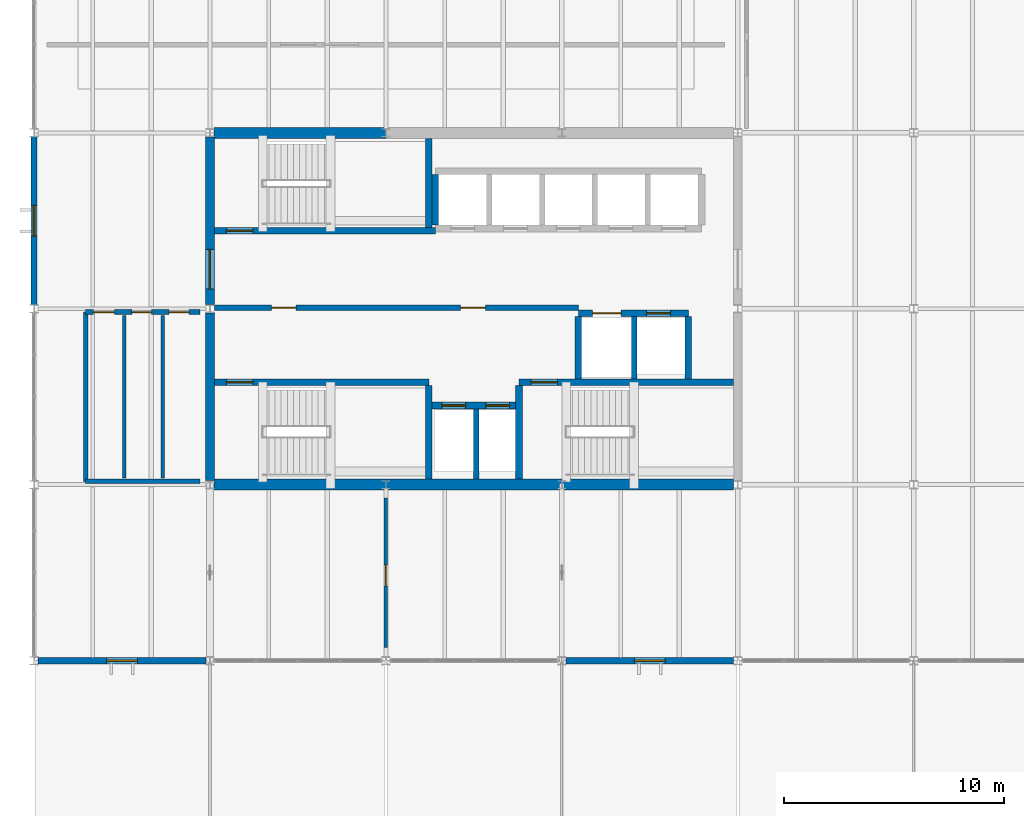
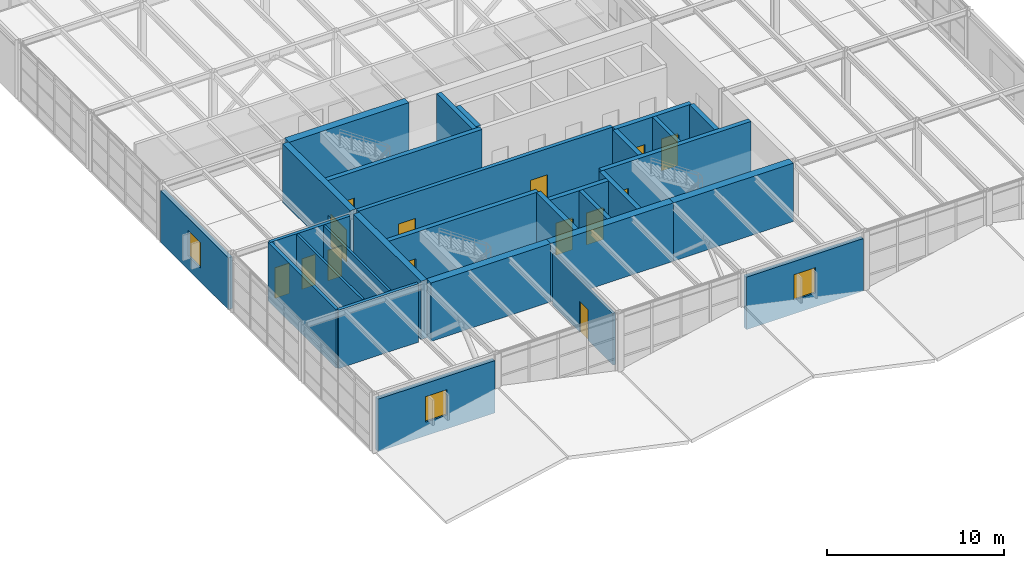
# One storey, part 27 of 34: 29 walls, 14 doors, 3 windows, 17 openings.
"""IFC4 building model written with IfcOpenShell, lengths in metres."""

import ifcopenshell
import ifcopenshell.guid

model = None  # the IFC model being written
_history = None  # IfcOwnerHistory: only IFC2X3 demands one
_inside = {}  # id of a spatial element -> (the spatial element, [elements in it])
_under = {}  # id of a project, library or spatial element -> (it, [spatial elements below it])
_declared = {}  # id of a project -> (the project, [libraries it declares])
_typed = {}  # id of a type object -> (the type object, [elements of that type])
_made_of = {}  # id of a material, layer set ... -> (it, [elements and type objects made of it])


def new_model(schema):
    """Start an empty IFC model of exactly this schema.

    Asked for "IFC4X3", IfcOpenShell would pick the latest addendum, in which some entities
    have other attributes; the version numbers below select the first issue.
    IFC2X3 requires an IfcOwnerHistory on every rooted entity: one is made here for all.
    """
    global model, _history
    if schema == "IFC4X3":
        model = ifcopenshell.file(schema_version=(4, 3, 0, 0))
    else:
        model = ifcopenshell.file(schema=schema)
    _inside.clear()
    _under.clear()
    _declared.clear()
    _typed.clear()
    _made_of.clear()
    _history = None
    if model.schema == "IFC2X3":
        org = make("IfcOrganization", Name="unknown")
        user = make(
            "IfcPersonAndOrganization",
            ThePerson=make("IfcPerson", FamilyName="unknown"),
            TheOrganization=org,
        )
        app = make(
            "IfcApplication",
            ApplicationDeveloper=org,
            Version="unknown",
            ApplicationFullName="unknown",
            ApplicationIdentifier="unknown",
        )
        _history = make(
            "IfcOwnerHistory",
            OwningUser=user,
            OwningApplication=app,
            ChangeAction="ADDED",
            CreationDate=0,
        )
    return model


def make(cls, **values):
    """One entity of the class cls with the attributes given. An attribute that is None is left unset."""
    return model.create_entity(
        cls, **{name: value for name, value in values.items() if value is not None}
    )


def rooted(cls, **values):
    """An entity with a GlobalId (a new one), such as an element, a storey or a relation."""
    return make(cls, GlobalId=ifcopenshell.guid.new(), OwnerHistory=_history, **values)


def si_unit(unit_type, name, prefix=None):
    """IfcSIUnit, for example si_unit("LENGTHUNIT", "METRE", prefix="MILLI")."""
    return make("IfcSIUnit", UnitType=unit_type, Prefix=prefix, Name=name)


def assignment(units):
    """IfcUnitAssignment: the units of a project."""
    return None if units is None else make("IfcUnitAssignment", Units=units)


def point(xyz):
    """IfcCartesianPoint."""
    return None if xyz is None else make("IfcCartesianPoint", Coordinates=xyz)


def direction(xyz):
    """IfcDirection."""
    return None if xyz is None else make("IfcDirection", DirectionRatios=xyz)


def frame(location, z_axis=None, x_axis=None):
    """IfcAxis2Placement3D, a coordinate frame: its origin and axes. An axis left out is left unset."""
    return make(
        "IfcAxis2Placement3D",
        Location=point(location),
        Axis=direction(z_axis),
        RefDirection=direction(x_axis),
    )


def frame_2d(location, x_axis=None):
    """IfcAxis2Placement2D, a coordinate frame in the plane: its origin and x axis."""
    return make(
        "IfcAxis2Placement2D", Location=point(location), RefDirection=direction(x_axis)
    )


def origin():
    """The frame at (0, 0, 0) with its axes left unset."""
    return frame((0.0, 0.0, 0.0))


def place(relative_to, where):
    """IfcLocalPlacement: puts the frame where relative to a parent placement (None: the world)."""
    return make(
        "IfcLocalPlacement", PlacementRelTo=relative_to, RelativePlacement=where
    )


def context(
    kind, dimensions, precision=None, world=None, true_north=None, identifier=None
):
    """IfcGeometricRepresentationContext, for example the 3D "Model" context."""
    return make(
        "IfcGeometricRepresentationContext",
        ContextIdentifier=identifier,
        ContextType=kind,
        CoordinateSpaceDimension=dimensions,
        Precision=precision,
        WorldCoordinateSystem=world,
        TrueNorth=true_north,
    )


def subcontext(parent, identifier, kind, view, scale=None):
    """IfcGeometricRepresentationSubContext, for example "Body" below "Model"."""
    return make(
        "IfcGeometricRepresentationSubContext",
        ContextIdentifier=identifier,
        ContextType=kind,
        ParentContext=parent,
        TargetScale=scale,
        TargetView=view,
    )


def project(units=None, contexts=None):
    """IfcProject with its units and contexts."""
    return rooted(
        "IfcProject",
        Name="project",
        RepresentationContexts=contexts,
        UnitsInContext=assignment(units),
    )


def spatial(cls, under=None, at=None, **own):
    """A site, building, storey or space (cls), placed at a placement, below another one or the project."""
    s = rooted(cls, ObjectPlacement=at, **own)
    if under is not None:
        _under.setdefault(under.id(), (under, []))[1].append(s)
    return s


def profile(cls, at=None, kind="AREA", **sizes):
    """A parametric profile (cls). Its sizes go by their IFC names, for example OverallWidth=200.0."""
    return make(cls, ProfileType=kind, Position=at, **sizes)


def rectangle(**sizes):
    """IfcRectangleProfileDef."""
    return profile("IfcRectangleProfileDef", **sizes)


def extrude(swept, where, along, depth):
    """IfcExtrudedAreaSolid: the profile swept, set in the frame where, extruded along a direction by depth."""
    return make(
        "IfcExtrudedAreaSolid",
        SweptArea=swept,
        Position=where,
        ExtrudedDirection=direction(along),
        Depth=depth,
    )


def shape(context_of_items, identifier, shape_type, items):
    """IfcShapeRepresentation: the items that make up one representation, for example the "Body"."""
    return make(
        "IfcShapeRepresentation",
        ContextOfItems=context_of_items,
        RepresentationIdentifier=identifier,
        RepresentationType=shape_type,
        Items=items,
    )


def material(Name=None, Category=None):
    """IfcMaterial."""
    return make("IfcMaterial", Name=Name, Category=Category)


def layer(
    of_material, thickness, ventilated=None, Name=None, Category=None, Priority=None
):
    """IfcMaterialLayer: one layer of a wall or slab, of a material (None: an air gap)."""
    return make(
        "IfcMaterialLayer",
        Material=of_material,
        LayerThickness=thickness,
        IsVentilated=ventilated,
        Name=Name,
        Category=Category,
        Priority=Priority,
    )


def layer_set(layers, Name=None):
    """IfcMaterialLayerSet."""
    return make("IfcMaterialLayerSet", MaterialLayers=layers, LayerSetName=Name)


def made_of(thing, what):
    """Note that an element or type object is made of a material, layer set ...; save() writes the relation."""
    if what is not None:
        _made_of.setdefault(what.id(), (what, []))[1].append(thing)
    return thing


def type_object(cls, material=None, **own):
    """A type object (cls), such as IfcWallType, which elements share."""
    return made_of(rooted(cls, **own), material)


def element(
    cls,
    number,
    at=None,
    inside=None,
    cuts=None,
    type_object=None,
    material=None,
    context=None,
    identifier="Body",
    shape_type=None,
    held_by="IfcProductDefinitionShape",
    body=None,
    shapes=None,
    **own,
):
    """One element of the class cls, such as IfcWall. Its Tag is "e" and its number.

    at: its placement. inside: the storey or other place that contains it. cuts: it is an
    opening in that element (IfcRelVoidsElement). A single representation is given by context,
    identifier, shape_type and body (its items); several are given by shapes. held_by: the class
    of the entity that holds the representations. save() writes the other relations.
    """
    e = rooted(cls, Tag="e%d" % number, ObjectPlacement=at, **own)
    if body is not None:
        shapes = [shape(context, identifier, shape_type, body)]
    if shapes is not None:
        e.Representation = make(held_by, Representations=shapes)
    if inside is not None:
        _inside.setdefault(inside.id(), (inside, []))[1].append(e)
    if cuts is not None:
        rooted(
            "IfcRelVoidsElement", RelatingBuildingElement=cuts, RelatedOpeningElement=e
        )
    if type_object is not None:
        _typed.setdefault(type_object.id(), (type_object, []))[1].append(e)
    return made_of(e, material)


def fill(opening, filler):
    """IfcRelFillsElement: the door or window that sits in an opening."""
    return rooted(
        "IfcRelFillsElement",
        RelatingOpeningElement=opening,
        RelatedBuildingElement=filler,
    )


def aggregate(whole, parts):
    """IfcRelAggregates: a whole, such as a stair, and the parts it consists of."""
    return rooted("IfcRelAggregates", RelatingObject=whole, RelatedObjects=parts)


def save(model, path):
    """Write the relations noted so far, then the file.

    IfcRelAggregates (storeys below a building ...), IfcRelContainedInSpatialStructure (elements
    in a storey), IfcRelDefinesByType, IfcRelAssociatesMaterial and IfcRelDeclares: one each for
    every whole, place, type object, material and project.
    """
    for whole, parts in _under.values():
        aggregate(whole, parts)
    for where, things in _inside.values():
        rooted(
            "IfcRelContainedInSpatialStructure",
            RelatedElements=things,
            RelatingStructure=where,
        )
    for kind, things in _typed.values():
        rooted("IfcRelDefinesByType", RelatedObjects=things, RelatingType=kind)
    for what, things in _made_of.values():
        rooted("IfcRelAssociatesMaterial", RelatedObjects=things, RelatingMaterial=what)
    for by, libraries in _declared.values():
        rooted("IfcRelDeclares", RelatingContext=by, RelatedDefinitions=libraries)
    model.write(path)


model = new_model("IFC4")

# Units and contexts
model_context = context("Model", 3, precision=1e-05, world=origin(), true_north=direction((0.0, 1.0)))
body_context = subcontext(model_context, "Body", "Model", "MODEL_VIEW")
ifc_project = project(units=[si_unit("LENGTHUNIT", "METRE"), si_unit("AREAUNIT", "SQUARE_METRE"), si_unit("VOLUMEUNIT", "CUBIC_METRE"), si_unit("PLANEANGLEUNIT", "RADIAN"), si_unit("MASSUNIT", "GRAM", prefix="KILO")], contexts=[model_context])

# Site, building, storey
site_placement = place(None, origin())
site = spatial("IfcSite", under=ifc_project, at=site_placement, CompositionType="ELEMENT")
building_placement = place(site_placement, origin())
building = spatial("IfcBuilding", under=site, at=building_placement, Name="Varnela Railside Interchange", CompositionType="ELEMENT")
storey_placement = place(building_placement, frame((0.0, 0.0, 19.60009765625)))
storey = spatial("IfcBuildingStorey", under=building, at=storey_placement, Name="L04", CompositionType="ELEMENT", Elevation=19.60009765625)

# Walls
ifc_material_1 = material(Name="Gypsum acoustic board")
ifc_layer_1 = layer(ifc_material_1, 0.14990234375)
ifc_layer_set_1 = layer_set([ifc_layer_1], Name="Gypsum acoustic board")
wall_type_1 = type_object("IfcWallType", Name="Acoustic Drywall Partition IW-01", PredefinedType="PARTITIONING", material=ifc_layer_set_1)
for number, where, z_axis, x_axis, name in (
    (1, (8.10009765625, 54.300048828125, 0.0), (0.0, 0.0, 1.0), (0.0, 1.0, 0.0), "Acoustic Drywall Partition IW-01 (L04) (WL-0908)"),
    (2, (9.85009765625, 54.300048828125, 0.0), (0.0, 0.0, 1.0), (0.0, 1.0, 0.0), "Acoustic Drywall Partition IW-01 (L04) (WL-0909)"),
):
    element("IfcWall", number, at=place(storey_placement, frame(where, z_axis=z_axis, x_axis=x_axis)), inside=storey, type_object=wall_type_1, Name=name, PredefinedType="PARTITIONING", context=body_context, shape_type="SweptSolid", body=[
        extrude(rectangle(XDim=7.39990234375, YDim=0.14990234375, at=frame_2d((3.699951171875, 0.0))), origin(), (0.0, 0.0, 1.0), 4.02001953125),
    ])

# Wall, opening, door
wall_1_placement = place(storey_placement, frame((20.0, 46.60009765625, 0.0), z_axis=(0.0, 0.0, 1.0), x_axis=(0.0, 1.0, 0.0)))
wall_1 = element("IfcWall", 3, at=wall_1_placement, inside=storey, type_object=wall_type_1, Name="Acoustic Drywall Partition IW-01 (L04) (WL-0896)", PredefinedType="PARTITIONING", context=body_context, shape_type="SweptSolid", body=[
    extrude(rectangle(XDim=6.7998046875, YDim=0.14990234375, at=frame_2d((3.39990234375, 0.0))), origin(), (0.0, 0.0, 1.0), 3.559814453125),
])
opening_1_placement = place(wall_1_placement, frame((2.800048828125, 0.0, 0.0)))
opening_1 = element("IfcOpeningElement", 4, at=opening_1_placement, cuts=wall_1, Name="Opening D-278", PredefinedType="OPENING", context=body_context, shape_type="SweptSolid", body=[
    extrude(rectangle(XDim=0.949951171875, YDim=2.10009765625, at=frame_2d((0.47509765625, 1.050048828125))), frame((0.0, 0.0849609375, 0.0), z_axis=(0.0, -1.0, 0.0), x_axis=(1.0, 0.0, 0.0)), (0.0, 0.0, 1.0), 0.169921875),
])
ifc_material_2 = material(Name="Timber solid core", Category="wood")
door_type_1 = type_object("IfcDoorType", Name="DR-SGL-950-ACC", OperationType="NOTDEFINED", PredefinedType="DOOR", material=ifc_material_2)
door_1_placement = place(opening_1_placement, origin())
door_1 = element("IfcDoor", 5, at=door_1_placement, inside=storey, type_object=door_type_1, Name="Door D-278", OperationType="SINGLE_SWING_RIGHT", OverallHeight=2.10009765625, OverallWidth=0.949951171875, PredefinedType="DOOR", context=body_context, shape_type="SweptSolid", body=[
    extrude(rectangle(XDim=0.949951171875, YDim=2.10009765625, at=frame_2d((0.47509765625, 1.050048828125))), frame((0.0, 0.02490234375, 0.0), z_axis=(0.0, -1.0, 0.0), x_axis=(1.0, 0.0, 0.0)), (0.0, 0.0, 1.0), 0.050048828125),
])
fill(opening_1, door_1)

# Wall
ifc_material_3 = material(Name="Concrete C50", Category="concrete")
ifc_layer_2 = layer(ifc_material_3, 0.39990234375)
ifc_layer_set_2 = layer_set([ifc_layer_2], Name="Concrete C50")
wall_type_2 = type_object("IfcWallType", Name="Core Coupling Shear Wall SW-02", PredefinedType="SHEAR", material=ifc_layer_set_2)
wall_2_placement = place(storey_placement, frame((12.0, 54.18408203125, 0.0), z_axis=(0.0, 0.0, 1.0), x_axis=(0.0, 1.0, 0.0)))
element("IfcWall", 6, at=wall_2_placement, inside=storey, type_object=wall_type_2, Name="Core Coupling Shear Wall SW-02 (L04) (WL-0875)", PredefinedType="SHEAR", context=body_context, shape_type="SweptSolid", body=[
    extrude(rectangle(XDim=7.6318359375, YDim=0.39990234375, at=frame_2d((3.81591796875, 0.0))), origin(), (0.0, 0.0, 1.0), 4.02001953125),
])

# Wall, opening, door
wall_3_placement = place(storey_placement, frame((12.0, 62.18408203125, 0.0), z_axis=(0.0, 0.0, 1.0), x_axis=(0.0, 1.0, 0.0)))
wall_3 = element("IfcWall", 7, at=wall_3_placement, inside=storey, type_object=wall_type_2, Name="Core Coupling Shear Wall SW-02 (L04) (WL-0876)", PredefinedType="SHEAR", context=body_context, shape_type="SweptSolid", body=[
    extrude(rectangle(XDim=7.6318359375, YDim=0.39990234375, at=frame_2d((3.81591796875, 0.0))), origin(), (0.0, 0.0, 1.0), 4.02001953125),
])
opening_2_placement = place(wall_3_placement, frame((0.716064453125, 0.0, 0.0)))
opening_2 = element("IfcOpeningElement", 8, at=opening_2_placement, cuts=wall_3, Name="Opening D-263", PredefinedType="OPENING", context=body_context, shape_type="SweptSolid", body=[
    extrude(rectangle(XDim=1.800048828125, YDim=2.199951171875, at=frame_2d((0.89990234375, 1.10009765625))), frame((0.0, 0.2099609375, 0.0), z_axis=(0.0, -1.0, 0.0), x_axis=(1.0, 0.0, 0.0)), (0.0, 0.0, 1.0), 0.419921875),
])
ifc_material_4 = material(Name="Steel AR 350 (350 MPa)", Category="steel")
door_type_2 = type_object("IfcDoorType", Name="DR-DBL-1800-FD60", OperationType="DOUBLE_DOOR_SINGLE_SWING", PredefinedType="DOOR", material=ifc_material_4)
door_2_placement = place(opening_2_placement, frame((1.800048828125, 0.0, 0.0), z_axis=(0.0, 0.0, 1.0), x_axis=(-1.0, 0.0, 0.0)))
door_2 = element("IfcDoor", 9, at=door_2_placement, inside=storey, type_object=door_type_2, Name="Door D-263", OperationType="DOUBLE_DOOR_SINGLE_SWING", OverallHeight=2.199951171875, OverallWidth=1.800048828125, PredefinedType="DOOR", context=body_context, shape_type="SweptSolid", body=[
    extrude(rectangle(XDim=1.800048828125, YDim=2.199951171875, at=frame_2d((0.89990234375, 1.10009765625))), frame((0.0, 0.02490234375, 0.0), z_axis=(0.0, -1.0, 0.0), x_axis=(1.0, 0.0, 0.0)), (0.0, 0.0, 1.0), 0.050048828125),
])
fill(opening_2, door_2)

# Walls
ifc_layer_3 = layer(ifc_material_3, 0.5)
ifc_layer_set_3 = layer_set([ifc_layer_3], Name="Concrete C50")
wall_type_3 = type_object("IfcWallType", Name="Core Primary Shear Wall SW-01", PredefinedType="SHEAR", material=ifc_layer_set_3)
wall_4_placement = place(storey_placement, frame((12.1865234375, 54.0, 0.0), z_axis=(0.0, 0.0, 1.0), x_axis=(1.0, 0.0, 0.0)))
element("IfcWall", 10, at=wall_4_placement, inside=storey, type_object=wall_type_3, Name="Core Primary Shear Wall SW-01 (L04) (WL-0866)", PredefinedType="SHEAR", context=body_context, shape_type="SweptSolid", body=[
    extrude(rectangle(XDim=7.8134765625, YDim=0.5, at=frame_2d((3.90673828125, 0.0))), origin(), (0.0, 0.0, 1.0), 4.02001953125),
])
wall_5_placement = place(storey_placement, frame((20.0, 54.0, 0.0), z_axis=(0.0, 0.0, 1.0), x_axis=(1.0, 0.0, 0.0)))
element("IfcWall", 11, at=wall_5_placement, inside=storey, type_object=wall_type_3, Name="Core Primary Shear Wall SW-01 (L04) (WL-0867)", PredefinedType="SHEAR", context=body_context, shape_type="SweptSolid", body=[
    extrude(rectangle(XDim=8.0, YDim=0.5, at=frame_2d((4.0, 0.0))), origin(), (0.0, 0.0, 1.0), 4.02001953125),
])
for number, where, z_axis, x_axis, name in (
    (12, (28.0, 54.0, 0.0), (0.0, 0.0, 1.0), (1.0, 0.0, 0.0), "Core Primary Shear Wall SW-01 (L04) (WL-0868)"),
    (13, (12.1865234375, 70.0, 0.0), (0.0, 0.0, 1.0), (1.0, 0.0, 0.0), "Core Primary Shear Wall SW-01 (L04) (WL-0863)"),
):
    element("IfcWall", number, at=place(storey_placement, frame(where, z_axis=z_axis, x_axis=x_axis)), inside=storey, type_object=wall_type_3, Name=name, PredefinedType="SHEAR", context=body_context, shape_type="SweptSolid", body=[
        extrude(rectangle(XDim=7.8134765625, YDim=0.5, at=frame_2d((3.90673828125, 0.0))), origin(), (0.0, 0.0, 1.0), 4.02001953125),
    ])

# Wall, opening, window
ifc_material_5 = material(Name="Concrete C40 precast", Category="concrete")
ifc_layer_4 = layer(ifc_material_5, 0.280029296875)
ifc_layer_set_4 = layer_set([ifc_layer_4], Name="Concrete C40 precast")
wall_type_4 = type_object("IfcWallType", Name="Ribbed Precast Concrete Facade Wall EW-02", PredefinedType="STANDARD", material=ifc_layer_set_4)
wall_6_placement = place(storey_placement, frame((35.81494140625, 46.0, 0.0), z_axis=(0.0, 0.0, 1.0), x_axis=(-1.0, 0.0, 0.0)))
wall_6 = element("IfcWall", 14, at=wall_6_placement, inside=storey, type_object=wall_type_4, Name="Ribbed Precast Concrete Facade Wall EW-02 (L04) (WL-0886)", PredefinedType="STANDARD", context=body_context, shape_type="SweptSolid", body=[
    extrude(rectangle(XDim=7.6298828125, YDim=0.280029296875, at=frame_2d((3.81494140625, 0.0))), origin(), (0.0, 0.0, 1.0), 3.60986328125),
])
opening_3_placement = place(wall_6_placement, frame((3.114990234375, 0.0, 0.949951171875)))
opening_3 = element("IfcOpeningElement", 15, at=opening_3_placement, cuts=wall_6, Name="Opening W-118", PredefinedType="OPENING", context=body_context, shape_type="SweptSolid", body=[
    extrude(rectangle(XDim=1.39990234375, YDim=1.75, at=frame_2d((0.699951171875, 0.875))), frame((0.0, 0.14990234375, 0.0), z_axis=(0.0, -1.0, 0.0), x_axis=(1.0, 0.0, 0.0)), (0.0, 0.0, 1.0), 0.300048828125),
])
ifc_material_6 = material(Name="Glass laminated double", Category="glass")
window_type = type_object("IfcWindowType", Name="Simulator Acoustic Window WN-12", PartitioningType="SINGLE_PANEL", PredefinedType="WINDOW", material=ifc_material_6)
window_1_placement = place(opening_3_placement, origin())
window_1 = element("IfcWindow", 16, at=window_1_placement, inside=storey, type_object=window_type, Name="Window W-118", OverallHeight=1.75, OverallWidth=1.39990234375, PartitioningType="SINGLE_PANEL", PredefinedType="WINDOW", context=body_context, shape_type="SweptSolid", body=[
    extrude(rectangle(XDim=1.39990234375, YDim=1.75, at=frame_2d((0.699951171875, 0.875))), frame((0.0, 0.030029296875, 0.0), z_axis=(0.0, -1.0, 0.0), x_axis=(1.0, 0.0, 0.0)), (0.0, 0.0, 1.0), 0.06005859375),
])
fill(opening_3, window_1)

wall_7_placement = place(storey_placement, frame((11.81494140625, 46.0, 0.0), z_axis=(0.0, 0.0, 1.0), x_axis=(-1.0, 0.0, 0.0)))
wall_7 = element("IfcWall", 17, at=wall_7_placement, inside=storey, type_object=wall_type_4, Name="Ribbed Precast Concrete Facade Wall EW-02 (L04) (WL-0894)", PredefinedType="STANDARD", context=body_context, shape_type="SweptSolid", body=[
    extrude(rectangle(XDim=7.6298828125, YDim=0.280029296875, at=frame_2d((3.81494140625, 0.0))), origin(), (0.0, 0.0, 1.0), 3.60986328125),
])
opening_4_placement = place(wall_7_placement, frame((3.114990234375, 0.0, 0.949951171875)))
opening_4 = element("IfcOpeningElement", 18, at=opening_4_placement, cuts=wall_7, Name="Opening W-119", PredefinedType="OPENING", context=body_context, shape_type="SweptSolid", body=[
    extrude(rectangle(XDim=1.39990234375, YDim=1.75, at=frame_2d((0.699951171875, 0.875))), frame((0.0, 0.14990234375, 0.0), z_axis=(0.0, -1.0, 0.0), x_axis=(1.0, 0.0, 0.0)), (0.0, 0.0, 1.0), 0.300048828125),
])
window_2_placement = place(opening_4_placement, origin())
window_2 = element("IfcWindow", 19, at=window_2_placement, inside=storey, type_object=window_type, Name="Window W-119", OverallHeight=1.75, OverallWidth=1.39990234375, PartitioningType="SINGLE_PANEL", PredefinedType="WINDOW", context=body_context, shape_type="SweptSolid", body=[
    extrude(rectangle(XDim=1.39990234375, YDim=1.75, at=frame_2d((0.699951171875, 0.875))), frame((0.0, 0.030029296875, 0.0), z_axis=(0.0, -1.0, 0.0), x_axis=(1.0, 0.0, 0.0)), (0.0, 0.0, 1.0), 0.06005859375),
])
fill(opening_4, window_2)

wall_8_placement = place(storey_placement, frame((4.0, 62.179931640625, 0.0), z_axis=(0.0, 0.0, 1.0), x_axis=(0.0, 1.0, 0.0)))
wall_8 = element("IfcWall", 20, at=wall_8_placement, inside=storey, type_object=wall_type_4, Name="Ribbed Precast Concrete Facade Wall EW-02 (L04) (WL-0895)", PredefinedType="STANDARD", context=body_context, shape_type="SweptSolid", body=[
    extrude(rectangle(XDim=7.64013671875, YDim=0.280029296875, at=frame_2d((3.820068359375, 0.0))), origin(), (0.0, 0.0, 1.0), 3.559814453125),
])
opening_5_placement = place(wall_8_placement, frame((3.1201171875, 0.0, 0.949951171875)))
opening_5 = element("IfcOpeningElement", 21, at=opening_5_placement, cuts=wall_8, Name="Opening W-120", PredefinedType="OPENING", context=body_context, shape_type="SweptSolid", body=[
    extrude(rectangle(XDim=1.39990234375, YDim=1.75, at=frame_2d((0.699951171875, 0.875))), frame((0.0, 0.14990234375, 0.0), z_axis=(0.0, -1.0, 0.0), x_axis=(1.0, 0.0, 0.0)), (0.0, 0.0, 1.0), 0.300048828125),
])
window_3_placement = place(opening_5_placement, origin())
window_3 = element("IfcWindow", 22, at=window_3_placement, inside=storey, type_object=window_type, Name="Window W-120", OverallHeight=1.75, OverallWidth=1.39990234375, PartitioningType="SINGLE_PANEL", PredefinedType="WINDOW", context=body_context, shape_type="SweptSolid", body=[
    extrude(rectangle(XDim=1.39990234375, YDim=1.75, at=frame_2d((0.699951171875, 0.875))), frame((0.0, 0.030029296875, 0.0), z_axis=(0.0, -1.0, 0.0), x_axis=(1.0, 0.0, 0.0)), (0.0, 0.0, 1.0), 0.06005859375),
])
fill(opening_5, window_3)

# Wall, openings, doors
ifc_material_7 = material(Name="Masonry concrete block", Category="masonry")
ifc_layer_5 = layer(ifc_material_7, 0.2099609375)
ifc_layer_set_5 = layer_set([ifc_layer_5], Name="Masonry concrete block")
wall_type_5 = type_object("IfcWallType", Name="Sanitary Plumbing Chase Wall IW-04", PredefinedType="PLUMBINGWALL", material=ifc_layer_set_5)
wall_9_placement = place(storey_placement, frame((6.35009765625, 61.85009765625, 0.0), z_axis=(0.0, 0.0, 1.0), x_axis=(1.0, 0.0, 0.0)))
wall_9 = element("IfcWall", 23, at=wall_9_placement, inside=storey, type_object=wall_type_5, Name="Sanitary Plumbing Chase Wall IW-04 (L04) (WL-0910)", PredefinedType="PLUMBINGWALL", context=body_context, shape_type="SweptSolid", body=[
    extrude(rectangle(XDim=5.199951171875, YDim=0.2099609375, at=frame_2d((2.60009765625, 0.0))), origin(), (0.0, 0.0, 1.0), 4.02001953125),
])
opening_6_placement = place(wall_9_placement, frame((0.35009765625, 0.0, 0.0)))
opening_6 = element("IfcOpeningElement", 24, at=opening_6_placement, cuts=wall_9, Name="Opening D-268", PredefinedType="OPENING", context=body_context, shape_type="SweptSolid", body=[
    extrude(rectangle(XDim=0.949951171875, YDim=2.10009765625, at=frame_2d((0.47509765625, 1.050048828125))), frame((0.0, 0.114990234375, 0.0), z_axis=(0.0, -1.0, 0.0), x_axis=(1.0, 0.0, 0.0)), (0.0, 0.0, 1.0), 0.22998046875),
])
opening_7_placement = place(wall_9_placement, frame((2.10009765625, 0.0, 0.0)))
opening_7 = element("IfcOpeningElement", 25, at=opening_7_placement, cuts=wall_9, Name="Opening D-269", PredefinedType="OPENING", context=body_context, shape_type="SweptSolid", body=[
    extrude(rectangle(XDim=0.89990234375, YDim=2.10009765625, at=frame_2d((0.449951171875, 1.050048828125))), frame((0.0, 0.114990234375, 0.0), z_axis=(0.0, -1.0, 0.0), x_axis=(1.0, 0.0, 0.0)), (0.0, 0.0, 1.0), 0.22998046875),
])
opening_8_placement = place(wall_9_placement, frame((3.800048828125, 0.0, 0.0)))
opening_8 = element("IfcOpeningElement", 26, at=opening_8_placement, cuts=wall_9, Name="Opening D-270", PredefinedType="OPENING", context=body_context, shape_type="SweptSolid", body=[
    extrude(rectangle(XDim=0.89990234375, YDim=2.10009765625, at=frame_2d((0.449951171875, 1.050048828125))), frame((0.0, 0.114990234375, 0.0), z_axis=(0.0, -1.0, 0.0), x_axis=(1.0, 0.0, 0.0)), (0.0, 0.0, 1.0), 0.22998046875),
])
door_type_3 = type_object("IfcDoorType", Name="DR-SGL-900", OperationType="NOTDEFINED", PredefinedType="DOOR", material=ifc_material_2)
door_3_placement = place(opening_7_placement, origin())
door_3 = element("IfcDoor", 27, at=door_3_placement, inside=storey, type_object=door_type_3, Name="Door D-269", OperationType="SINGLE_SWING_RIGHT", OverallHeight=2.10009765625, OverallWidth=0.89990234375, PredefinedType="DOOR", context=body_context, shape_type="SweptSolid", body=[
    extrude(rectangle(XDim=0.89990234375, YDim=2.10009765625, at=frame_2d((0.449951171875, 1.050048828125))), frame((0.0, 0.02490234375, 0.0), z_axis=(0.0, -1.0, 0.0), x_axis=(1.0, 0.0, 0.0)), (0.0, 0.0, 1.0), 0.050048828125),
])
fill(opening_7, door_3)
door_4_placement = place(opening_8_placement, origin())
door_4 = element("IfcDoor", 28, at=door_4_placement, inside=storey, type_object=door_type_3, Name="Door D-270", OperationType="SINGLE_SWING_LEFT", OverallHeight=2.10009765625, OverallWidth=0.89990234375, PredefinedType="DOOR", context=body_context, shape_type="SweptSolid", body=[
    extrude(rectangle(XDim=0.89990234375, YDim=2.10009765625, at=frame_2d((0.449951171875, 1.050048828125))), frame((0.0, 0.02490234375, 0.0), z_axis=(0.0, -1.0, 0.0), x_axis=(1.0, 0.0, 0.0)), (0.0, 0.0, 1.0), 0.050048828125),
])
fill(opening_8, door_4)
door_5_placement = place(opening_6_placement, origin())
door_5 = element("IfcDoor", 29, at=door_5_placement, inside=storey, type_object=door_type_1, Name="Door D-268", OperationType="SINGLE_SWING_LEFT", OverallHeight=2.10009765625, OverallWidth=0.949951171875, PredefinedType="DOOR", context=body_context, shape_type="SweptSolid", body=[
    extrude(rectangle(XDim=0.949951171875, YDim=2.10009765625, at=frame_2d((0.47509765625, 1.050048828125))), frame((0.0, 0.02490234375, 0.0), z_axis=(0.0, -1.0, 0.0), x_axis=(1.0, 0.0, 0.0)), (0.0, 0.0, 1.0), 0.050048828125),
])
fill(opening_6, door_5)

# Walls
wall_10_placement = place(storey_placement, frame((6.35009765625, 54.14990234375, 0.0), z_axis=(0.0, 0.0, 1.0), x_axis=(1.0, 0.0, 0.0)))
element("IfcWall", 30, at=wall_10_placement, inside=storey, type_object=wall_type_5, Name="Sanitary Plumbing Chase Wall IW-04 (L04) (WL-0911)", PredefinedType="PLUMBINGWALL", context=body_context, shape_type="SweptSolid", body=[
    extrude(rectangle(XDim=5.199951171875, YDim=0.2099609375, at=frame_2d((2.60009765625, 0.0))), origin(), (0.0, 0.0, 1.0), 4.02001953125),
])
wall_11_placement = place(storey_placement, frame((6.35009765625, 54.14990234375, 0.0), z_axis=(0.0, 0.0, 1.0), x_axis=(0.0, 1.0, 0.0)))
element("IfcWall", 31, at=wall_11_placement, inside=storey, type_object=wall_type_5, Name="Sanitary Plumbing Chase Wall IW-04 (L04) (WL-0912)", PredefinedType="PLUMBINGWALL", context=body_context, shape_type="SweptSolid", body=[
    extrude(rectangle(XDim=7.7001953125, YDim=0.2099609375, at=frame_2d((3.85009765625, 0.0))), origin(), (0.0, 0.0, 1.0), 4.02001953125),
])

# Wall, opening, door
ifc_layer_6 = layer(ifc_material_3, 0.300048828125)
ifc_layer_set_6 = layer_set([ifc_layer_6], Name="Concrete C50")
wall_type_6 = type_object("IfcWallType", Name="Stair & Lift Shaft Wall SW-03", PredefinedType="SHEAR", material=ifc_layer_set_6)
wall_12_placement = place(storey_placement, frame((12.199951171875, 58.64990234375, 0.0), z_axis=(0.0, 0.0, 1.0), x_axis=(1.0, 0.0, 0.0)))
wall_12 = element("IfcWall", 32, at=wall_12_placement, inside=storey, type_object=wall_type_6, Name="Stair & Lift Shaft Wall SW-03 (L04) (WL-0870)", PredefinedType="SHEAR", context=body_context, shape_type="SweptSolid", body=[
    extrude(rectangle(XDim=9.75, YDim=0.300048828125, at=frame_2d((4.875, 0.0))), origin(), (0.0, 0.0, 1.0), 4.02001953125),
])
opening_9_placement = place(wall_12_placement, frame((0.550048828125, 0.0, 0.0)))
opening_9 = element("IfcOpeningElement", 33, at=opening_9_placement, cuts=wall_12, Name="Opening D-258", PredefinedType="OPENING", context=body_context, shape_type="SweptSolid", body=[
    extrude(rectangle(XDim=1.199951171875, YDim=2.199951171875, at=frame_2d((0.60009765625, 1.10009765625))), frame((0.0, 0.159912109375, 0.0), z_axis=(0.0, -1.0, 0.0), x_axis=(1.0, 0.0, 0.0)), (0.0, 0.0, 1.0), 0.320068359375),
])
door_type_4 = type_object("IfcDoorType", Name="DR-SGL-1200-FD90", OperationType="NOTDEFINED", PredefinedType="DOOR", material=ifc_material_4)
door_6_placement = place(opening_9_placement, frame((1.199951171875, 0.0, 0.0), z_axis=(0.0, 0.0, 1.0), x_axis=(-1.0, 0.0, 0.0)))
door_6 = element("IfcDoor", 34, at=door_6_placement, inside=storey, type_object=door_type_4, Name="Door D-258", OperationType="SINGLE_SWING_LEFT", OverallHeight=2.199951171875, OverallWidth=1.199951171875, PredefinedType="DOOR", context=body_context, shape_type="SweptSolid", body=[
    extrude(rectangle(XDim=1.199951171875, YDim=2.199951171875, at=frame_2d((0.60009765625, 1.10009765625))), frame((0.0, 0.02490234375, 0.0), z_axis=(0.0, -1.0, 0.0), x_axis=(1.0, 0.0, 0.0)), (0.0, 0.0, 1.0), 0.050048828125),
])
fill(opening_9, door_6)

# Wall
wall_13_placement = place(storey_placement, frame((21.949951171875, 54.25, 0.0), z_axis=(0.0, 0.0, 1.0), x_axis=(0.0, 1.0, 0.0)))
element("IfcWall", 35, at=wall_13_placement, inside=storey, type_object=wall_type_6, Name="Stair & Lift Shaft Wall SW-03 (L04) (WL-0869)", PredefinedType="SHEAR", context=body_context, shape_type="SweptSolid", body=[
    extrude(rectangle(XDim=4.25, YDim=0.300048828125, at=frame_2d((2.125, 0.0))), origin(), (0.0, 0.0, 1.0), 4.02001953125),
])

# Wall, opening, door
wall_14_placement = place(storey_placement, frame((26.050048828125, 58.64990234375, 0.0), z_axis=(0.0, 0.0, 1.0), x_axis=(1.0, 0.0, 0.0)))
wall_14 = element("IfcWall", 36, at=wall_14_placement, inside=storey, type_object=wall_type_6, Name="Stair & Lift Shaft Wall SW-03 (L04) (WL-0871)", PredefinedType="SHEAR", context=body_context, shape_type="SweptSolid", body=[
    extrude(rectangle(XDim=9.75, YDim=0.300048828125, at=frame_2d((4.875, 0.0))), origin(), (0.0, 0.0, 1.0), 4.02001953125),
])
opening_10_placement = place(wall_14_placement, frame((0.550048828125, 0.0, 0.0)))
opening_10 = element("IfcOpeningElement", 37, at=opening_10_placement, cuts=wall_14, Name="Opening D-259", PredefinedType="OPENING", context=body_context, shape_type="SweptSolid", body=[
    extrude(rectangle(XDim=1.199951171875, YDim=2.199951171875, at=frame_2d((0.60009765625, 1.10009765625))), frame((0.0, 0.159912109375, 0.0), z_axis=(0.0, -1.0, 0.0), x_axis=(1.0, 0.0, 0.0)), (0.0, 0.0, 1.0), 0.320068359375),
])
door_7_placement = place(opening_10_placement, frame((1.199951171875, 0.0, 0.0), z_axis=(0.0, 0.0, 1.0), x_axis=(-1.0, 0.0, 0.0)))
door_7 = element("IfcDoor", 38, at=door_7_placement, inside=storey, type_object=door_type_4, Name="Door D-259", OperationType="SINGLE_SWING_RIGHT", OverallHeight=2.199951171875, OverallWidth=1.199951171875, PredefinedType="DOOR", context=body_context, shape_type="SweptSolid", body=[
    extrude(rectangle(XDim=1.199951171875, YDim=2.199951171875, at=frame_2d((0.60009765625, 1.10009765625))), frame((0.0, 0.02490234375, 0.0), z_axis=(0.0, -1.0, 0.0), x_axis=(1.0, 0.0, 0.0)), (0.0, 0.0, 1.0), 0.050048828125),
])
fill(opening_10, door_7)

# Wall
wall_15_placement = place(storey_placement, frame((26.050048828125, 54.25, 0.0), z_axis=(0.0, 0.0, 1.0), x_axis=(0.0, 1.0, 0.0)))
element("IfcWall", 39, at=wall_15_placement, inside=storey, type_object=wall_type_6, Name="Stair & Lift Shaft Wall SW-03 (L04) (WL-0872)", PredefinedType="SHEAR", context=body_context, shape_type="SweptSolid", body=[
    extrude(rectangle(XDim=4.25, YDim=0.300048828125, at=frame_2d((2.125, 0.0))), origin(), (0.0, 0.0, 1.0), 4.02001953125),
])

# Wall, openings, doors
wall_16_placement = place(storey_placement, frame((22.10009765625, 57.60009765625, 0.0), z_axis=(0.0, 0.0, 1.0), x_axis=(1.0, 0.0, 0.0)))
wall_16 = element("IfcWall", 40, at=wall_16_placement, inside=storey, type_object=wall_type_6, Name="Stair & Lift Shaft Wall SW-03 (L04) (WL-0850)", PredefinedType="SHEAR", context=body_context, shape_type="SweptSolid", body=[
    extrude(rectangle(XDim=3.949951171875, YDim=0.300048828125, at=frame_2d((1.97509765625, 0.0))), origin(), (0.0, 0.0, 1.0), 4.02001953125),
])
opening_11_placement = place(wall_16_placement, frame((0.449951171875, 0.0, 0.0)))
opening_11 = element("IfcOpeningElement", 41, at=opening_11_placement, cuts=wall_16, Name="Opening LD-065", PredefinedType="OPENING", context=body_context, shape_type="SweptSolid", body=[
    extrude(rectangle(XDim=1.080078125, YDim=2.199951171875, at=frame_2d((0.5400390625, 1.10009765625))), frame((0.0, 0.159912109375, 0.0), z_axis=(0.0, -1.0, 0.0), x_axis=(1.0, 0.0, 0.0)), (0.0, 0.0, 1.0), 0.320068359375),
])
opening_12_placement = place(wall_16_placement, frame((2.449951171875, 0.0, 0.0)))
opening_12 = element("IfcOpeningElement", 42, at=opening_12_placement, cuts=wall_16, Name="Opening LD-066", PredefinedType="OPENING", context=body_context, shape_type="SweptSolid", body=[
    extrude(rectangle(XDim=1.080078125, YDim=2.199951171875, at=frame_2d((0.5400390625, 1.10009765625))), frame((0.0, 0.159912109375, 0.0), z_axis=(0.0, -1.0, 0.0), x_axis=(1.0, 0.0, 0.0)), (0.0, 0.0, 1.0), 0.320068359375),
])
door_type_5 = type_object("IfcDoorType", Name="DR-LIFT-1080", OperationType="SLIDING_TO_LEFT", PredefinedType="DOOR", material=ifc_material_4)
door_8_placement = place(opening_11_placement, origin())
door_8 = element("IfcDoor", 43, at=door_8_placement, inside=storey, type_object=door_type_5, Name="Door LD-065", OperationType="SLIDING_TO_LEFT", OverallHeight=2.199951171875, OverallWidth=1.080078125, PredefinedType="DOOR", context=body_context, shape_type="SweptSolid", body=[
    extrude(rectangle(XDim=1.080078125, YDim=2.199951171875, at=frame_2d((0.5400390625, 1.10009765625))), frame((0.0, 0.02490234375, 0.0), z_axis=(0.0, -1.0, 0.0), x_axis=(1.0, 0.0, 0.0)), (0.0, 0.0, 1.0), 0.050048828125),
])
fill(opening_11, door_8)
door_9_placement = place(opening_12_placement, origin())
door_9 = element("IfcDoor", 44, at=door_9_placement, inside=storey, type_object=door_type_5, Name="Door LD-066", OperationType="SLIDING_TO_LEFT", OverallHeight=2.199951171875, OverallWidth=1.080078125, PredefinedType="DOOR", context=body_context, shape_type="SweptSolid", body=[
    extrude(rectangle(XDim=1.080078125, YDim=2.199951171875, at=frame_2d((0.5400390625, 1.10009765625))), frame((0.0, 0.02490234375, 0.0), z_axis=(0.0, -1.0, 0.0), x_axis=(1.0, 0.0, 0.0)), (0.0, 0.0, 1.0), 0.050048828125),
])
fill(opening_12, door_9)

# Wall
wall_17_placement = place(storey_placement, frame((24.10009765625, 54.25, 0.0), z_axis=(0.0, 0.0, 1.0), x_axis=(0.0, 1.0, 0.0)))
element("IfcWall", 45, at=wall_17_placement, inside=storey, type_object=wall_type_6, Name="Stair & Lift Shaft Wall SW-03 (L04) (WL-0849)", PredefinedType="SHEAR", context=body_context, shape_type="SweptSolid", body=[
    extrude(rectangle(XDim=3.199951171875, YDim=0.25, at=frame_2d((1.60009765625, 0.0))), origin(), (0.0, 0.0, 1.0), 4.02001953125),
])

# Wall, openings, doors
wall_18_placement = place(storey_placement, frame((28.75, 61.800048828125, 0.0), z_axis=(0.0, 0.0, 1.0), x_axis=(1.0, 0.0, 0.0)))
wall_18 = element("IfcWall", 46, at=wall_18_placement, inside=storey, type_object=wall_type_6, Name="Stair & Lift Shaft Wall SW-03 (L04) (WL-0853)", PredefinedType="SHEAR", context=body_context, shape_type="SweptSolid", body=[
    extrude(rectangle(XDim=5.0, YDim=0.300048828125, at=frame_2d((2.5, 0.0))), origin(), (0.0, 0.0, 1.0), 4.02001953125),
])
opening_13_placement = place(wall_18_placement, frame((0.64990234375, 0.0, 0.0)))
opening_13 = element("IfcOpeningElement", 47, at=opening_13_placement, cuts=wall_18, Name="Opening LD-067", PredefinedType="OPENING", context=body_context, shape_type="SweptSolid", body=[
    extrude(rectangle(XDim=1.300048828125, YDim=2.300048828125, at=frame_2d((0.64990234375, 1.14990234375))), frame((0.0, 0.159912109375, 0.0), z_axis=(0.0, -1.0, 0.0), x_axis=(1.0, 0.0, 0.0)), (0.0, 0.0, 1.0), 0.320068359375),
])
opening_14_placement = place(wall_18_placement, frame((3.10009765625, 0.0, 0.0)))
opening_14 = element("IfcOpeningElement", 48, at=opening_14_placement, cuts=wall_18, Name="Opening LD-068", PredefinedType="OPENING", context=body_context, shape_type="SweptSolid", body=[
    extrude(rectangle(XDim=1.080078125, YDim=2.199951171875, at=frame_2d((0.5400390625, 1.10009765625))), frame((0.0, 0.159912109375, 0.0), z_axis=(0.0, -1.0, 0.0), x_axis=(1.0, 0.0, 0.0)), (0.0, 0.0, 1.0), 0.320068359375),
])
door_10_placement = place(opening_14_placement, origin())
door_10 = element("IfcDoor", 49, at=door_10_placement, inside=storey, type_object=door_type_5, Name="Door LD-068", OperationType="SLIDING_TO_LEFT", OverallHeight=2.199951171875, OverallWidth=1.080078125, PredefinedType="DOOR", context=body_context, shape_type="SweptSolid", body=[
    extrude(rectangle(XDim=1.080078125, YDim=2.199951171875, at=frame_2d((0.5400390625, 1.10009765625))), frame((0.0, 0.02490234375, 0.0), z_axis=(0.0, -1.0, 0.0), x_axis=(1.0, 0.0, 0.0)), (0.0, 0.0, 1.0), 0.050048828125),
])
fill(opening_14, door_10)
door_type_6 = type_object("IfcDoorType", Name="DR-LIFT-1300", OperationType="SLIDING_TO_LEFT", PredefinedType="DOOR", material=ifc_material_4)
door_11_placement = place(opening_13_placement, origin())
door_11 = element("IfcDoor", 50, at=door_11_placement, inside=storey, type_object=door_type_6, Name="Door LD-067", OperationType="SLIDING_TO_LEFT", OverallHeight=2.300048828125, OverallWidth=1.300048828125, PredefinedType="DOOR", context=body_context, shape_type="SweptSolid", body=[
    extrude(rectangle(XDim=1.300048828125, YDim=2.300048828125, at=frame_2d((0.64990234375, 1.14990234375))), frame((0.0, 0.02490234375, 0.0), z_axis=(0.0, -1.0, 0.0), x_axis=(1.0, 0.0, 0.0)), (0.0, 0.0, 1.0), 0.050048828125),
])
fill(opening_13, door_11)

# Walls
for number, where, z_axis, x_axis, name in (
    (51, (28.75, 58.800048828125, 0.0), (0.0, 0.0, 1.0), (0.0, 1.0, 0.0), "Stair & Lift Shaft Wall SW-03 (L04) (WL-0854)"),
    (52, (33.75, 58.800048828125, 0.0), (0.0, 0.0, 1.0), (0.0, 1.0, 0.0), "Stair & Lift Shaft Wall SW-03 (L04) (WL-0852)"),
):
    element("IfcWall", number, at=place(storey_placement, frame(where, z_axis=z_axis, x_axis=x_axis)), inside=storey, type_object=wall_type_6, Name=name, PredefinedType="SHEAR", context=body_context, shape_type="SweptSolid", body=[
        extrude(rectangle(XDim=2.849853515625, YDim=0.300048828125, at=frame_2d((1.4248046875, 0.0))), origin(), (0.0, 0.0, 1.0), 4.02001953125),
    ])
wall_19_placement = place(storey_placement, frame((31.300048828125, 58.800048828125, 0.0), z_axis=(0.0, 0.0, 1.0), x_axis=(0.0, 1.0, 0.0)))
element("IfcWall", 53, at=wall_19_placement, inside=storey, type_object=wall_type_6, Name="Stair & Lift Shaft Wall SW-03 (L04) (WL-0851)", PredefinedType="SHEAR", context=body_context, shape_type="SweptSolid", body=[
    extrude(rectangle(XDim=2.849853515625, YDim=0.25, at=frame_2d((1.4248046875, 0.0))), origin(), (0.0, 0.0, 1.0), 4.02001953125),
])

# Wall, openings, doors
wall_20_placement = place(storey_placement, frame((12.199951171875, 62.050048828125, 0.0), z_axis=(0.0, 0.0, 1.0), x_axis=(1.0, 0.0, 0.0)))
wall_20 = element("IfcWall", 54, at=wall_20_placement, inside=storey, type_object=wall_type_6, Name="Stair & Lift Shaft Wall SW-03 (L04) (WL-0848)", PredefinedType="SHEAR", context=body_context, shape_type="SweptSolid", body=[
    extrude(rectangle(XDim=16.550048828125, YDim=0.25, at=frame_2d((8.27490234375, 0.0))), origin(), (0.0, 0.0, 1.0), 4.02001953125),
])
opening_15_placement = place(wall_20_placement, frame((2.60009765625, 0.0, 0.0)))
opening_15 = element("IfcOpeningElement", 55, at=opening_15_placement, cuts=wall_20, Name="Opening D-261", PredefinedType="OPENING", context=body_context, shape_type="SweptSolid", body=[
    extrude(rectangle(XDim=1.1201171875, YDim=2.219970703125, at=frame_2d((0.56005859375, 1.10986328125))), frame((0.0, 0.135009765625, 0.0), z_axis=(0.0, -1.0, 0.0), x_axis=(1.0, 0.0, 0.0)), (0.0, 0.0, 1.0), 0.27001953125),
])
opening_16_placement = place(wall_20_placement, frame((11.199951171875, 0.0, 0.0)))
opening_16 = element("IfcOpeningElement", 56, at=opening_16_placement, cuts=wall_20, Name="Opening D-262", PredefinedType="OPENING", context=body_context, shape_type="SweptSolid", body=[
    extrude(rectangle(XDim=1.1201171875, YDim=2.219970703125, at=frame_2d((0.56005859375, 1.10986328125))), frame((0.0, 0.135009765625, 0.0), z_axis=(0.0, -1.0, 0.0), x_axis=(1.0, 0.0, 0.0)), (0.0, 0.0, 1.0), 0.27001953125),
])
door_type_7 = type_object("IfcDoorType", Name="DR-SGL-1120-FD90", OperationType="NOTDEFINED", PredefinedType="DOOR", material=ifc_material_4)
door_12_placement = place(opening_15_placement, frame((1.1201171875, 0.0, 0.0), z_axis=(0.0, 0.0, 1.0), x_axis=(-1.0, 0.0, 0.0)))
door_12 = element("IfcDoor", 57, at=door_12_placement, inside=storey, type_object=door_type_7, Name="Door D-261", OperationType="SINGLE_SWING_RIGHT", OverallHeight=2.219970703125, OverallWidth=1.1201171875, PredefinedType="DOOR", context=body_context, shape_type="SweptSolid", body=[
    extrude(rectangle(XDim=1.1201171875, YDim=2.219970703125, at=frame_2d((0.56005859375, 1.10986328125))), frame((0.0, 0.02490234375, 0.0), z_axis=(0.0, -1.0, 0.0), x_axis=(1.0, 0.0, 0.0)), (0.0, 0.0, 1.0), 0.050048828125),
])
fill(opening_15, door_12)
door_13_placement = place(opening_16_placement, frame((1.1201171875, 0.0, 0.0), z_axis=(0.0, 0.0, 1.0), x_axis=(-1.0, 0.0, 0.0)))
door_13 = element("IfcDoor", 58, at=door_13_placement, inside=storey, type_object=door_type_7, Name="Door D-262", OperationType="SINGLE_SWING_LEFT", OverallHeight=2.219970703125, OverallWidth=1.1201171875, PredefinedType="DOOR", context=body_context, shape_type="SweptSolid", body=[
    extrude(rectangle(XDim=1.1201171875, YDim=2.219970703125, at=frame_2d((0.56005859375, 1.10986328125))), frame((0.0, 0.02490234375, 0.0), z_axis=(0.0, -1.0, 0.0), x_axis=(1.0, 0.0, 0.0)), (0.0, 0.0, 1.0), 0.050048828125),
])
fill(opening_16, door_13)

# Wall, opening, door
wall_21_placement = place(storey_placement, frame((12.199951171875, 65.550048828125, 0.0), z_axis=(0.0, 0.0, 1.0), x_axis=(1.0, 0.0, 0.0)))
wall_21 = element("IfcWall", 59, at=wall_21_placement, inside=storey, type_object=wall_type_6, Name="Stair & Lift Shaft Wall SW-03 (L04) (WL-0874)", PredefinedType="SHEAR", context=body_context, shape_type="SweptSolid", body=[
    extrude(rectangle(XDim=10.050048828125, YDim=0.300048828125, at=frame_2d((5.02490234375, 0.0))), origin(), (0.0, 0.0, 1.0), 4.02001953125),
])
opening_17_placement = place(wall_21_placement, frame((0.550048828125, 0.0, 0.0)))
opening_17 = element("IfcOpeningElement", 60, at=opening_17_placement, cuts=wall_21, Name="Opening D-260", PredefinedType="OPENING", context=body_context, shape_type="SweptSolid", body=[
    extrude(rectangle(XDim=1.199951171875, YDim=2.199951171875, at=frame_2d((0.60009765625, 1.10009765625))), frame((0.0, 0.159912109375, 0.0), z_axis=(0.0, -1.0, 0.0), x_axis=(1.0, 0.0, 0.0)), (0.0, 0.0, 1.0), 0.320068359375),
])
door_14_placement = place(opening_17_placement, origin())
door_14 = element("IfcDoor", 61, at=door_14_placement, inside=storey, type_object=door_type_4, Name="Door D-260", OperationType="SINGLE_SWING_LEFT", OverallHeight=2.199951171875, OverallWidth=1.199951171875, PredefinedType="DOOR", context=body_context, shape_type="SweptSolid", body=[
    extrude(rectangle(XDim=1.199951171875, YDim=2.199951171875, at=frame_2d((0.60009765625, 1.10009765625))), frame((0.0, 0.02490234375, 0.0), z_axis=(0.0, -1.0, 0.0), x_axis=(1.0, 0.0, 0.0)), (0.0, 0.0, 1.0), 0.050048828125),
])
fill(opening_17, door_14)

# Walls
wall_22_placement = place(storey_placement, frame((21.949951171875, 65.699951171875, 0.0), z_axis=(0.0, 0.0, 1.0), x_axis=(0.0, 1.0, 0.0)))
element("IfcWall", 62, at=wall_22_placement, inside=storey, type_object=wall_type_6, Name="Stair & Lift Shaft Wall SW-03 (L04) (WL-0873)", PredefinedType="SHEAR", context=body_context, shape_type="SweptSolid", body=[
    extrude(rectangle(XDim=4.050048828125, YDim=0.300048828125, at=frame_2d((2.02490234375, 0.0))), origin(), (0.0, 0.0, 1.0), 4.02001953125),
])
wall_23_placement = place(storey_placement, frame((22.25, 65.800048828125, 0.0), z_axis=(0.0, 0.0, 1.0), x_axis=(0.0, 1.0, 0.0)))
element("IfcWall", 63, at=wall_23_placement, inside=storey, type_object=wall_type_6, Name="Stair & Lift Shaft Wall SW-03 (L04) (WL-0862)", PredefinedType="SHEAR", context=body_context, shape_type="SweptSolid", body=[
    extrude(rectangle(XDim=2.300048828125, YDim=0.300048828125, at=frame_2d((1.14990234375, 0.0))), origin(), (0.0, 0.0, 1.0), 4.02001953125),
])

save(model, "model.ifc")
